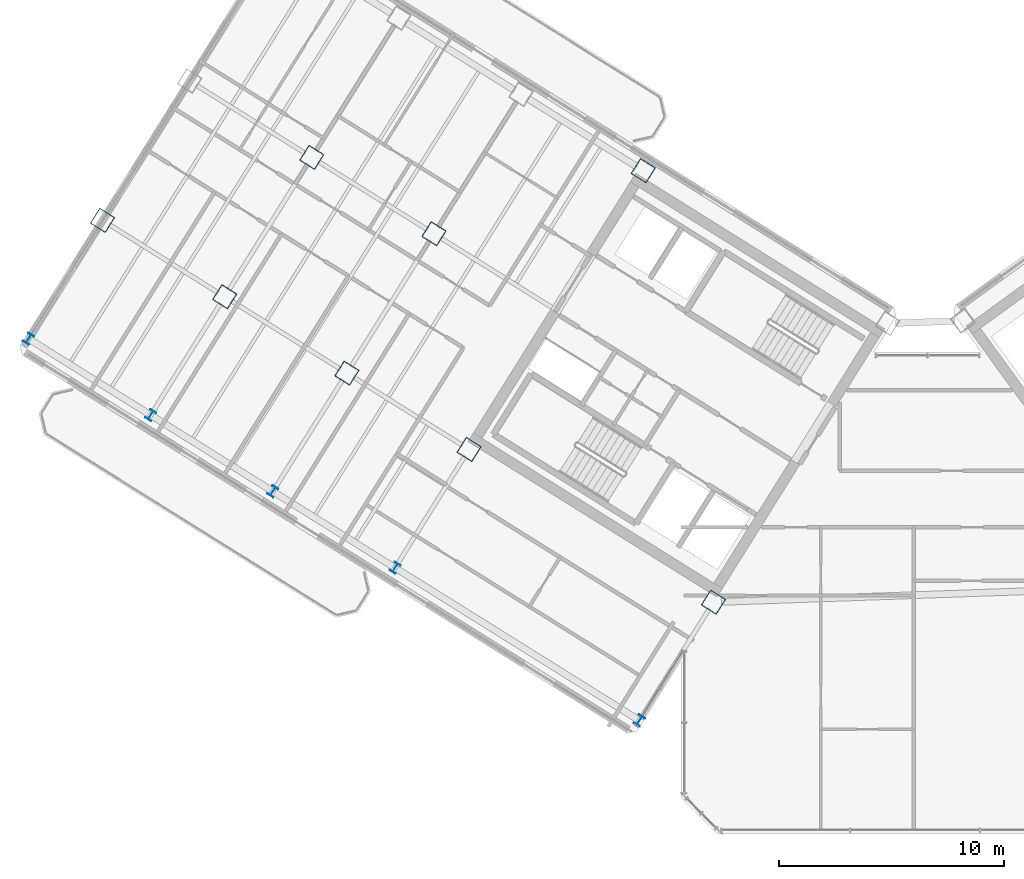
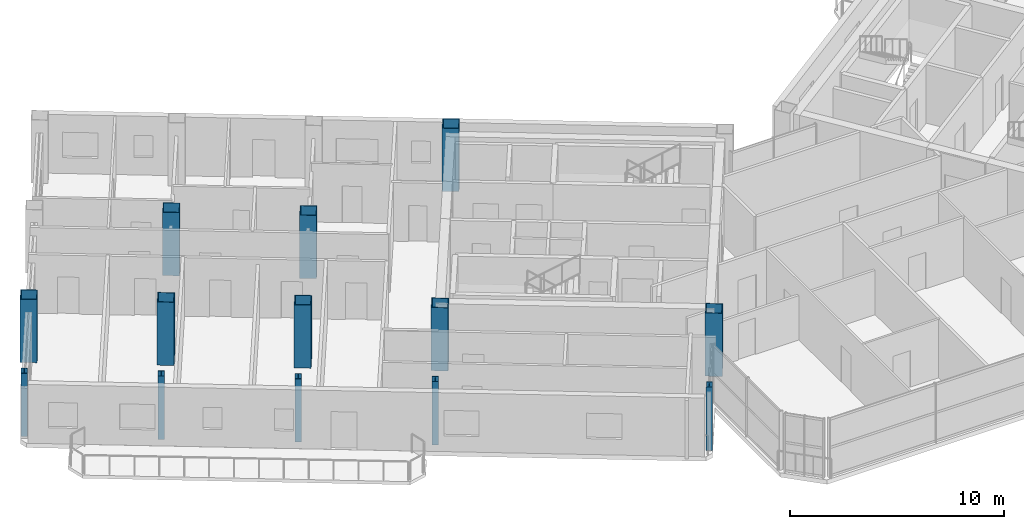
# One storey, part 1 of 29: 13 columns.
"""IFC4 building model written with IfcOpenShell, lengths in metres."""

from ifc_helpers import new_model, si_unit, direction, frame, origin, origin_2d, place, context, subcontext, project, spatial, hollow_rectangle, i_section, extrude, source, transform, mapped, material, material_profile, profile_set, type_object, element, save


model = new_model("IFC4")

# Units and contexts
model_context = context("Model", 3, precision=1e-05, world=origin(), true_north=direction((0.0, 1.0)))
body_context = subcontext(model_context, "Body", "Model", "MODEL_VIEW")
ifc_project = project(units=[si_unit("LENGTHUNIT", "METRE"), si_unit("AREAUNIT", "SQUARE_METRE"), si_unit("VOLUMEUNIT", "CUBIC_METRE"), si_unit("PLANEANGLEUNIT", "RADIAN"), si_unit("MASSUNIT", "GRAM", prefix="KILO")], contexts=[model_context])

# Site, building, storey
site_placement = place(None, origin())
site = spatial("IfcSite", under=ifc_project, at=site_placement, CompositionType="ELEMENT")
building_placement = place(site_placement, origin())
building = spatial("IfcBuilding", under=site, at=building_placement, Name="Tlacorven Tower", CompositionType="ELEMENT")
storey_placement = place(building_placement, frame((0.0, 0.0, 238.5)))
storey = spatial("IfcBuildingStorey", under=building, at=storey_placement, Name="L60", CompositionType="ELEMENT", Elevation=238.5)

# Columns
ifc_material_1 = material(Name="Steel S460M", Category="steel")
ifc_material_profile_1 = material_profile(ifc_material_1, hollow_rectangle(XDim=0.800048828125, YDim=0.800048828125, WallThickness=0.031982421875, at=origin_2d()), Name="BOX 800X800X32")
ifc_profile_set_1 = profile_set([ifc_material_profile_1], Name="Steel S460M")
column_type_1 = type_object("IfcColumnType", Name="COL-TWR-S3", PredefinedType="COLUMN", material=ifc_profile_set_1)
shared_shape_1 = source(origin(), body_context, "Body", "SweptSolid", [
    extrude(hollow_rectangle(XDim=0.800048828125, YDim=0.800048828125, WallThickness=0.031982421875, at=origin_2d()), origin(), (0.0, 0.0, 1.0), 3.60009765625),
])
for number, where, z_axis, x_axis, name in (
    (1, (33.046142578125, 12.0869140625, 0.0), (0.0, 0.0, 1.0), (-0.848048096156, 0.529919264233, 0.0), "L60 column COL-L60-W1-3"),
    (2, (29.927978515625, 31.25146484375, 0.0), (0.0, 0.0, 1.0), (-0.848048096156, 0.529919264233, 0.0), "L60 column COL-L60-W3-1"),
    (3, (22.191162109375, 18.869873046875, 0.0), (0.0, 0.0, 1.0), (-0.848048096156, 0.529919264233, 0.0), "L60 column COL-L60-W3-3"),
    (4, (20.632080078125, 28.4521484375, 0.0), (0.0, 0.0, 1.0), (-0.848048096156, 0.529919264233, 0.0), "L60 column COL-L60-W4-2"),
    (5, (16.763671875, 22.26123046875, 0.0), (0.0, 0.0, 1.0), (-0.848048096156, 0.529919264233, 0.0), "L60 column COL-L60-W4-3"),
    (6, (15.20458984375, 31.843505859375, 0.0), (0.0, 0.0, 1.0), (-0.848048096156, 0.529919264233, 0.0), "L60 column COL-L60-W5-2"),
    (7, (11.336181640625, 25.65283203125, 0.0), (0.0, 0.0, 1.0), (-0.848048096156, 0.529919264233, 0.0), "L60 column COL-L60-W5-3"),
    (8, (5.90869140625, 29.044189453125, 0.0), (0.0, 0.0, 1.0), (-0.848048096156, 0.529919264233, 0.0), "L60 column COL-L60-W6-3"),
):
    element("IfcColumn", number, at=place(storey_placement, frame(where, z_axis=z_axis, x_axis=x_axis)), inside=storey, type_object=column_type_1, Name=name, PredefinedType="COLUMN", context=body_context, shape_type="MappedRepresentation", body=[
        mapped(shared_shape_1, transform((0.0, 0.0, 0.0), scale=1.0)),
    ])
ifc_material_2 = material(Name="Steel S355J2", Category="steel")
ifc_material_profile_2 = material_profile(ifc_material_2, i_section(OverallWidth=0.300048828125, OverallDepth=0.449951171875, WebThickness=0.013916015625, FlangeThickness=0.02587890625, at=origin_2d()), Name="HEB 450")
ifc_profile_set_2 = profile_set([ifc_material_profile_2], Name="Steel S355J2")
column_type_2 = type_object("IfcColumnType", Name="COL-TWR-P3", PredefinedType="COLUMN", material=ifc_profile_set_2)
shared_shape_2 = source(origin(), body_context, "Body", "SweptSolid", [
    extrude(i_section(OverallWidth=0.300048828125, OverallDepth=0.449951171875, WebThickness=0.013916015625, FlangeThickness=0.02587890625, at=origin_2d()), origin(), (0.0, 0.0, 1.0), 3.60009765625),
])
for number, where, z_axis, x_axis, name in (
    (9, (29.7607421875, 6.8291015625, 0.0), (0.0, 0.0, 1.0), (-0.848048096156, 0.529919264233, 0.0), "L60 column COL-L60-W1-4"),
    (10, (18.905517578125, 13.612060546875, 0.0), (0.0, 0.0, 1.0), (-0.848048096156, 0.529919264233, 0.0), "L60 column COL-L60-W3-4"),
    (11, (13.47802734375, 17.00341796875, 0.0), (0.0, 0.0, 1.0), (-0.848048096156, 0.529919264233, 0.0), "L60 column COL-L60-W4-4"),
    (12, (8.050537109375, 20.39501953125, 0.0), (0.0, 0.0, 1.0), (-0.848048096156, 0.529919264233, 0.0), "L60 column COL-L60-W5-4"),
    (13, (2.623046875, 23.786376953125, 0.0), (0.0, 0.0, 1.0), (-0.848048096156, 0.529919264233, 0.0), "L60 column COL-L60-W6-4"),
):
    element("IfcColumn", number, at=place(storey_placement, frame(where, z_axis=z_axis, x_axis=x_axis)), inside=storey, type_object=column_type_2, Name=name, PredefinedType="COLUMN", context=body_context, shape_type="MappedRepresentation", body=[
        mapped(shared_shape_2, transform((0.0, 0.0, 0.0), scale=1.0)),
    ])

save(model, "model.ifc")
